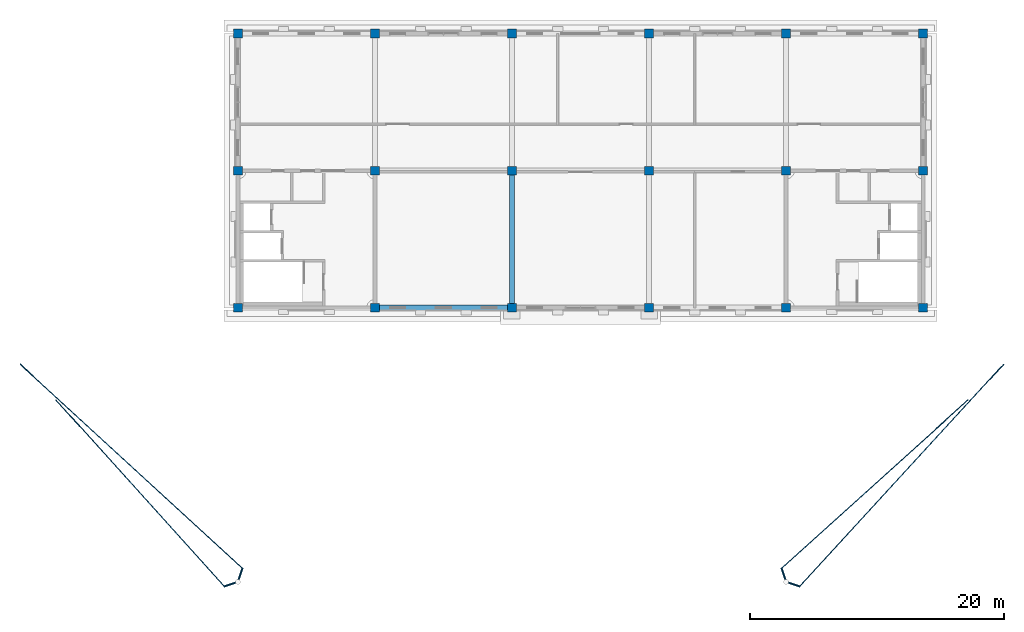
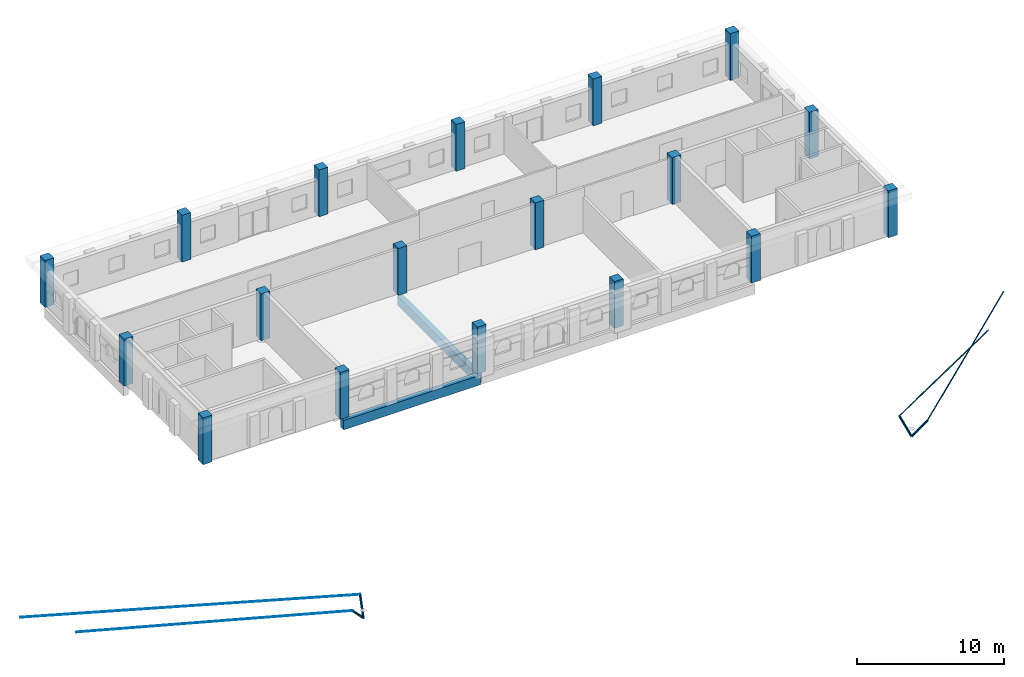
# One storey, part 1 of 10: 18 columns, 8 members, 2 beams.
"""IFC4 building model written with IfcOpenShell, lengths in metres."""

from ifc_helpers import new_model, si_unit, direction, frame, origin, origin_2d, place, context, subcontext, project, spatial, rectangle, circle, hollow_circle, extrude, material, material_profile, profile_set, type_object, element, save


model = new_model("IFC4")

# Units and contexts
model_context = context("Model", 3, precision=1e-05, world=origin(), true_north=direction((0.0, 1.0)))
body_context = subcontext(model_context, "Body", "Model", "MODEL_VIEW")
ifc_project = project(units=[si_unit("LENGTHUNIT", "METRE"), si_unit("AREAUNIT", "SQUARE_METRE"), si_unit("VOLUMEUNIT", "CUBIC_METRE"), si_unit("PLANEANGLEUNIT", "RADIAN"), si_unit("MASSUNIT", "GRAM", prefix="KILO")], contexts=[model_context])

# Site, building, storey
site_placement = place(None, origin())
site = spatial("IfcSite", under=ifc_project, at=site_placement, CompositionType="ELEMENT")
building_placement = place(site_placement, origin())
building = spatial("IfcBuilding", under=site, at=building_placement, Name="Magnolia Steps Interchange", CompositionType="ELEMENT")
storey_placement = place(building_placement, frame((0.0, 0.0, 24.300048828125)))
storey = spatial("IfcBuildingStorey", under=building, at=storey_placement, Name="L06", CompositionType="ELEMENT", Elevation=24.300048828125)

# Columns
ifc_material_1 = material(Name="Concrete C40", Category="concrete")
ifc_material_profile_1 = material_profile(ifc_material_1, rectangle(XDim=0.699951171875, YDim=0.699951171875, at=origin_2d()), Name="RC700x700")
ifc_profile_set_1 = profile_set([ifc_material_profile_1], Name="Concrete C40")
column_type = type_object("IfcColumnType", Name="RC column 700x700", PredefinedType="COLUMN", material=ifc_profile_set_1)
for number, where, z_axis, x_axis, name in (
    (1, (64.0, 96.39990234375, 0.0), (0.0, 0.0, 1.0), (1.0, 0.0, 0.0), "Column OPE-6I L06"),
    (2, (64.0, 107.199951171875, 0.0), (0.0, 0.0, 1.0), (1.0, 0.0, 0.0), "Column OPE-6J L06"),
    (3, (64.0, 118.0, 0.0), (0.0, 0.0, 1.0), (1.0, 0.0, 0.0), "Column OPE-6K L06"),
    (4, (74.800048828125, 96.39990234375, 0.0), (0.0, 0.0, 1.0), (1.0, 0.0, 0.0), "Column OPE-7I L06"),
    (5, (74.800048828125, 107.199951171875, 0.0), (0.0, 0.0, 1.0), (1.0, 0.0, 0.0), "Column OPE-7J L06"),
    (6, (74.800048828125, 118.0, 0.0), (0.0, 0.0, 1.0), (1.0, 0.0, 0.0), "Column OPE-7K L06"),
    (7, (85.60009765625, 96.39990234375, 0.0), (0.0, 0.0, 1.0), (1.0, 0.0, 0.0), "Column OPE-8I L06"),
    (8, (85.60009765625, 107.199951171875, 0.0), (0.0, 0.0, 1.0), (1.0, 0.0, 0.0), "Column OPE-8J L06"),
    (9, (85.60009765625, 118.0, 0.0), (0.0, 0.0, 1.0), (1.0, 0.0, 0.0), "Column OPE-8K L06"),
    (10, (96.39990234375, 96.39990234375, 0.0), (0.0, 0.0, 1.0), (1.0, 0.0, 0.0), "Column OPE-9I L06"),
    (11, (96.39990234375, 107.199951171875, 0.0), (0.0, 0.0, 1.0), (1.0, 0.0, 0.0), "Column OPE-9J L06"),
    (12, (96.39990234375, 118.0, 0.0), (0.0, 0.0, 1.0), (1.0, 0.0, 0.0), "Column OPE-9K L06"),
    (13, (107.199951171875, 96.39990234375, 0.0), (0.0, 0.0, 1.0), (1.0, 0.0, 0.0), "Column OPE-10I L06"),
    (14, (107.199951171875, 107.199951171875, 0.0), (0.0, 0.0, 1.0), (1.0, 0.0, 0.0), "Column OPE-10J L06"),
    (15, (107.199951171875, 118.0, 0.0), (0.0, 0.0, 1.0), (1.0, 0.0, 0.0), "Column OPE-10K L06"),
    (16, (118.0, 96.39990234375, 0.0), (0.0, 0.0, 1.0), (1.0, 0.0, 0.0), "Column OPE-11I L06"),
    (17, (118.0, 107.199951171875, 0.0), (0.0, 0.0, 1.0), (1.0, 0.0, 0.0), "Column OPE-11J L06"),
    (18, (118.0, 118.0, 0.0), (0.0, 0.0, 1.0), (1.0, 0.0, 0.0), "Column OPE-11K L06"),
):
    element("IfcColumn", number, at=place(storey_placement, frame(where, z_axis=z_axis, x_axis=x_axis)), inside=storey, type_object=column_type, Name=name, PredefinedType="COLUMN", context=body_context, shape_type="SweptSolid", body=[
        extrude(rectangle(XDim=0.699951171875, YDim=0.699951171875, at=origin_2d()), origin(), (0.0, 0.0, 1.0), 3.89990234375),
    ])

# Members
ifc_material_2 = material(Name="Steel S690 galvanised spiral strand rope", Category="steel")
ifc_material_profile_2 = material_profile(ifc_material_2, circle(Radius=0.030029296875, at=origin_2d()), Name="CABLE60")
ifc_profile_set_2 = profile_set([ifc_material_profile_2], Name="Steel S690 galvanised spiral strand rope")
member_type_1 = type_object("IfcMemberType", Name="Cable stay CABLE60", PredefinedType="USERDEFINED", material=ifc_profile_set_2)
member_1_placement = place(storey_placement, frame((106.846435546875, 75.860595703125, 1.201171875), z_axis=(0.709543715962, 0.64127960777, -0.29207564054), x_axis=(-0.67051736895, 0.741893831984, 0.0)))
element("IfcMember", 19, at=member_1_placement, inside=storey, type_object=member_type_1, Name="Stay cable SP-H-NE-1", ObjectType="Cable stay", PredefinedType="USERDEFINED", context=body_context, shape_type="SweptSolid", body=[
    extrude(circle(Radius=0.030029296875, at=origin_2d()), origin(), (0.0, 0.0, 1.0), 20.71826171875),
])
member_2_placement = place(storey_placement, frame((108.2607421875, 74.4462890625, 1.201171875), z_axis=(0.659070848182, 0.717026751206, -0.226932269919), x_axis=(-0.736234715497, 0.6767262694, 0.0)))
element("IfcMember", 20, at=member_2_placement, inside=storey, type_object=member_type_1, Name="Stay cable SP-H-NE-2", ObjectType="Cable stay", PredefinedType="USERDEFINED", context=body_context, shape_type="SweptSolid", body=[
    extrude(circle(Radius=0.030029296875, at=origin_2d()), origin(), (0.0, 0.0, 1.0), 24.407470703125),
])
member_3_placement = place(storey_placement, frame((62.939208984375, 74.4462890625, 1.201171875), z_axis=(-0.641272669799, 0.709549077834, -0.292077847694), x_axis=(-0.741899961197, -0.670510587222, 0.0)))
element("IfcMember", 21, at=member_3_placement, inside=storey, type_object=member_type_1, Name="Stay cable SP-H-NW-1", ObjectType="Cable stay", PredefinedType="USERDEFINED", context=body_context, shape_type="SweptSolid", body=[
    extrude(circle(Radius=0.030029296875, at=origin_2d()), origin(), (0.0, 0.0, 1.0), 20.718017578125),
])
member_4_placement = place(storey_placement, frame((64.353515625, 75.860595703125, 1.201171875), z_axis=(-0.717017164058, 0.659081232942, -0.226932401453), x_axis=(-0.676736953648, -0.736224894694, 0.0)))
element("IfcMember", 22, at=member_4_placement, inside=storey, type_object=member_type_1, Name="Stay cable SP-H-NW-2", ObjectType="Cable stay", PredefinedType="USERDEFINED", context=body_context, shape_type="SweptSolid", body=[
    extrude(circle(Radius=0.030029296875, at=origin_2d()), origin(), (0.0, 0.0, 1.0), 24.407470703125),
])
ifc_material_3 = material(Name="Steel Q355B", Category="steel")
ifc_material_profile_3 = material_profile(ifc_material_3, hollow_circle(Radius=0.083984375, WallThickness=0.008056640625, at=origin_2d()), Name="CHS168x8")
ifc_profile_set_3 = profile_set([ifc_material_profile_3], Name="Steel Q355B")
member_type_2 = type_object("IfcMemberType", Name="Mast spreader CHS168x8", PredefinedType="USERDEFINED", material=ifc_profile_set_3)
member_5_placement = place(storey_placement, frame((107.199951171875, 74.800048828125, 0.001220703125), z_axis=(-0.215557675341, 0.646673026024, 0.731675396617), x_axis=(-0.948683298051, -0.316227766017, 0.0)))
element("IfcMember", 23, at=member_5_placement, inside=storey, type_object=member_type_2, Name="Mast spreader SP-H-NE-1", ObjectType="Mast spreader", PredefinedType="USERDEFINED", context=body_context, shape_type="SweptSolid", body=[
    extrude(hollow_circle(Radius=0.083984375, WallThickness=0.008056640625, at=origin_2d()), origin(), (0.0, 0.0, 1.0), 1.639892578125),
])
for number, where, z_axis, x_axis, name in (
    (24, (107.199951171875, 74.800048828125, 0.001220703125), (0.646738869576, -0.215678854319, 0.731581483076), (0.316358760418, 0.948639623201, 0.0), "Mast spreader SP-H-NE-2"),
    (25, (64.0, 74.800048828125, 0.001220703125), (-0.646738869576, -0.215678854319, 0.731581483076), (0.316358760418, -0.948639623201, 0.0), "Mast spreader SP-H-NW-1"),
):
    element("IfcMember", number, at=place(storey_placement, frame(where, z_axis=z_axis, x_axis=x_axis)), inside=storey, type_object=member_type_2, Name=name, ObjectType="Mast spreader", PredefinedType="USERDEFINED", context=body_context, shape_type="SweptSolid", body=[
        extrude(hollow_circle(Radius=0.083984375, WallThickness=0.008056640625, at=origin_2d()), origin(), (0.0, 0.0, 1.0), 1.64013671875),
    ])
member_6_placement = place(storey_placement, frame((64.0, 74.800048828125, 0.001220703125), z_axis=(0.215557675341, 0.646673026024, 0.731675396617), x_axis=(-0.948683298051, 0.316227766017, 0.0)))
element("IfcMember", 26, at=member_6_placement, inside=storey, type_object=member_type_2, Name="Mast spreader SP-H-NW-2", ObjectType="Mast spreader", PredefinedType="USERDEFINED", context=body_context, shape_type="SweptSolid", body=[
    extrude(hollow_circle(Radius=0.083984375, WallThickness=0.008056640625, at=origin_2d()), origin(), (0.0, 0.0, 1.0), 1.639892578125),
])

# Beams
ifc_material_4 = material(Name="Concrete C40", Category="concrete")
ifc_material_profile_4 = material_profile(ifc_material_4, rectangle(XDim=0.39990234375, YDim=0.800048828125, at=origin_2d()), Name="RC400x800")
ifc_profile_set_4 = profile_set([ifc_material_profile_4], Name="Concrete C40")
beam_type = type_object("IfcBeamType", Name="RC beam 400x800", PredefinedType="BEAM", material=ifc_profile_set_4)
for number, where, z_axis, x_axis, name in (
    (27, (74.800048828125, 96.39990234375, -0.699951171875), (1.0, 0.0, 0.0), (0.0, 1.0, 0.0), "Beam L06 I 7-8"),
    (28, (85.60009765625, 96.39990234375, -0.699951171875), (0.0, 1.0, 0.0), (-1.0, 0.0, 0.0), "Beam L06 8 I-J"),
):
    element("IfcBeam", number, at=place(storey_placement, frame(where, z_axis=z_axis, x_axis=x_axis)), inside=storey, type_object=beam_type, Name=name, PredefinedType="BEAM", context=body_context, shape_type="SweptSolid", body=[
        extrude(rectangle(XDim=0.39990234375, YDim=0.800048828125, at=origin_2d()), origin(), (0.0, 0.0, 1.0), 10.800048828125),
    ])

save(model, "model.ifc")
